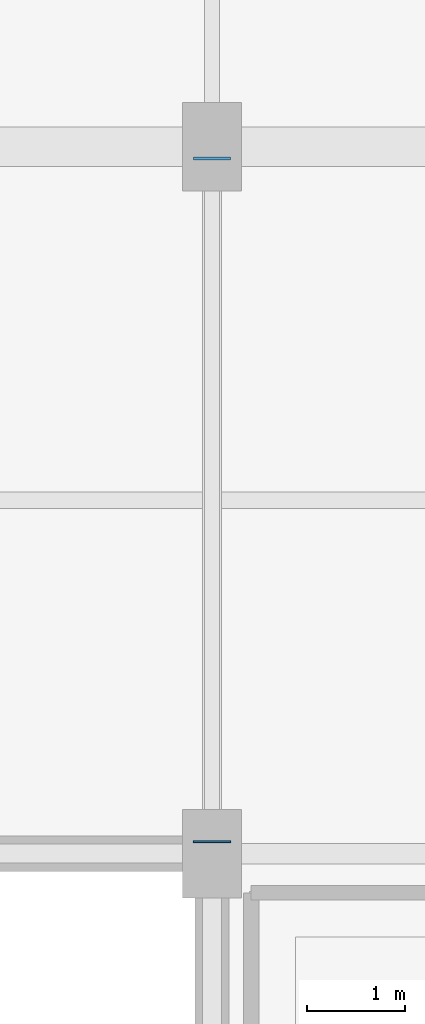
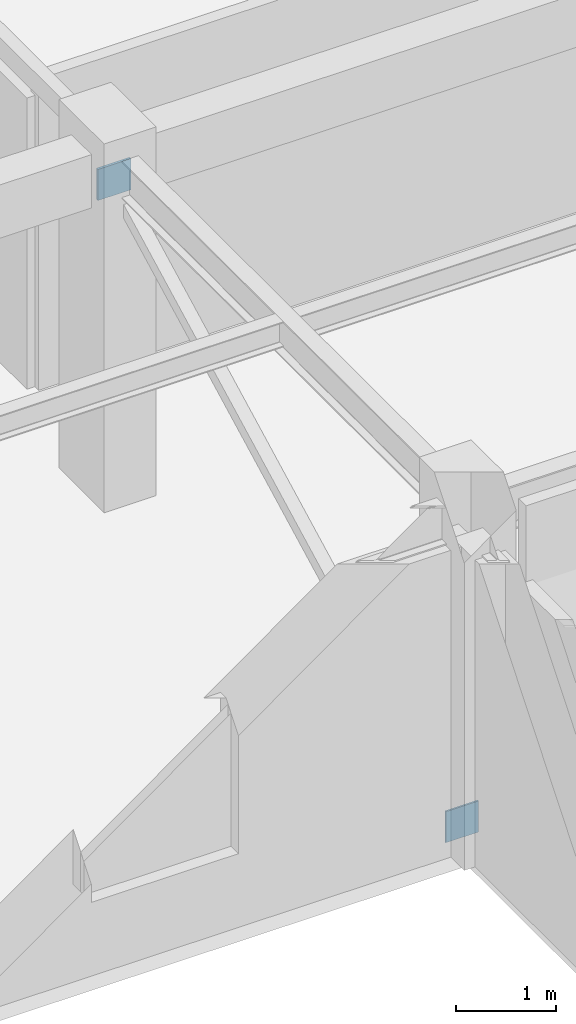
# One storey, part 71 of 106: 2 plates.
"""IFC4 building model written with IfcOpenShell, lengths in metres."""

from ifc_helpers import new_model, si_unit, direction, frame, origin, origin_2d, place, context, subcontext, project, spatial, rectangle, extrude, material, layer, layer_set, type_object, element, save


model = new_model("IFC4")

# Units and contexts
model_context = context("Model", 3, precision=1e-05, world=origin(), true_north=direction((0.0, 1.0)))
body_context = subcontext(model_context, "Body", "Model", "MODEL_VIEW")
ifc_project = project(units=[si_unit("LENGTHUNIT", "METRE"), si_unit("AREAUNIT", "SQUARE_METRE"), si_unit("VOLUMEUNIT", "CUBIC_METRE"), si_unit("PLANEANGLEUNIT", "RADIAN"), si_unit("MASSUNIT", "GRAM", prefix="KILO")], contexts=[model_context])

# Site, building, storey
site_placement = place(None, origin())
site = spatial("IfcSite", under=ifc_project, at=site_placement, CompositionType="ELEMENT")
building_placement = place(site_placement, origin())
building = spatial("IfcBuilding", under=site, at=building_placement, Name="Carrowvane Square Congress Hotel", CompositionType="ELEMENT")
storey_placement = place(building_placement, frame((0.0, 0.0, 10.5)))
storey = spatial("IfcBuildingStorey", under=building, at=storey_placement, Name="L02", CompositionType="ELEMENT", Elevation=10.5)

# Plates
ifc_material_1 = material(Name="Steel S355", Category="steel")
ifc_layer_1 = layer(ifc_material_1, 0.02001953125)
ifc_layer_set_1 = layer_set([ifc_layer_1], Name="Steel S355")
plate_type_1 = type_object("IfcPlateType", Name="PLT-GUS-20", PredefinedType="SHEET", material=ifc_layer_set_1)
plate_1_placement = place(storey_placement, frame((134.0, 55.919921875, -0.0400390625), z_axis=(0.0, 0.0, 1.0), x_axis=(1.0, 0.0, 0.0)))
element("IfcPlate", 1, at=plate_1_placement, inside=storey, type_object=plate_type_1, Name="L02 brace connection end plate 279", PredefinedType="SHEET", context=body_context, shape_type="SweptSolid", body=[
    extrude(rectangle(XDim=0.3798828125, YDim=0.02001953125, at=origin_2d()), origin(), (0.0, 0.0, 1.0), 0.3798828125),
])
ifc_material_2 = material(Name="Steel S355", Category="steel")
ifc_layer_2 = layer(ifc_material_2, 0.030029296875)
ifc_layer_set_2 = layer_set([ifc_layer_2], Name="Steel S355")
plate_type_2 = type_object("IfcPlateType", Name="PLT-GUS-30", PredefinedType="USERDEFINED", material=ifc_layer_set_2)
plate_2_placement = place(storey_placement, frame((134.0, 62.8798828125, 3.580078125), z_axis=(0.0, 0.0, 1.0), x_axis=(1.0, 0.0, 0.0)))
element("IfcPlate", 2, at=plate_2_placement, inside=storey, type_object=plate_type_2, Name="L02 brace connection end plate 280", ObjectType="GUSSET PLATE", PredefinedType="USERDEFINED", context=body_context, shape_type="SweptSolid", body=[
    extrude(rectangle(XDim=0.3798828125, YDim=0.030029296875, at=origin_2d()), origin(), (0.0, 0.0, 1.0), 0.3798828125),
])

save(model, "model.ifc")
